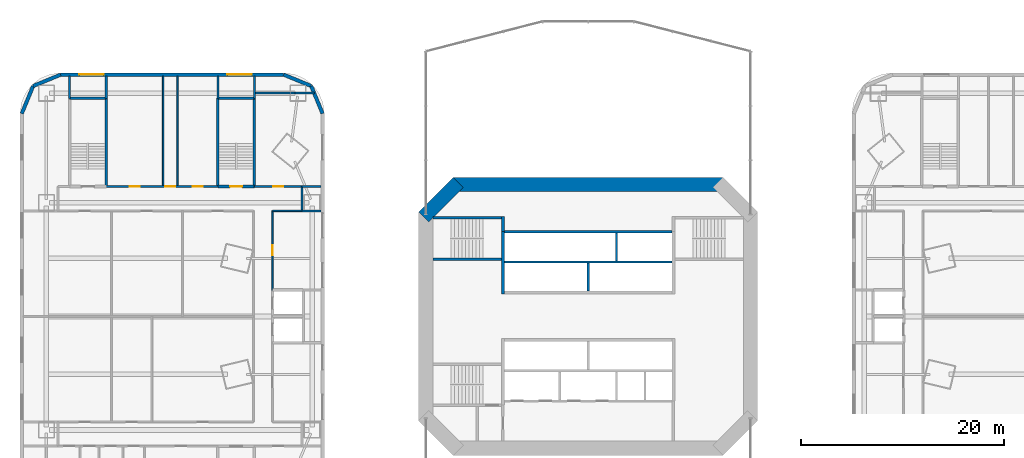
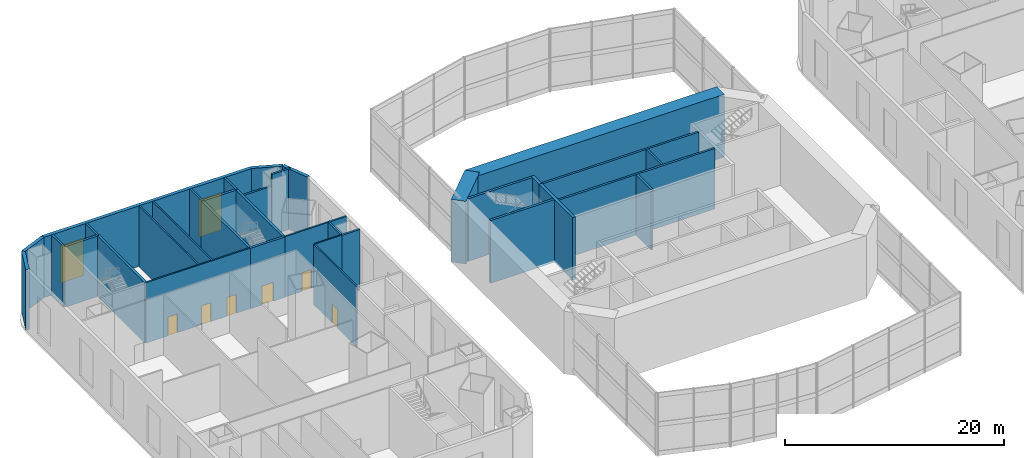
# One storey, part 12 of 19: 36 walls, 6 doors, 2 windows, 8 openings.
"""IFC4 building model written with IfcOpenShell, lengths in metres."""

from ifc_helpers import new_model, si_unit, direction, frame, frame_2d, origin, place, context, subcontext, project, spatial, rectangle, extrude, material, layer, layer_set, type_object, element, fill, save


model = new_model("IFC4")

# Units and contexts
model_context = context("Model", 3, precision=1e-05, world=origin(), true_north=direction((0.0, 1.0)))
body_context = subcontext(model_context, "Body", "Model", "MODEL_VIEW")
ifc_project = project(units=[si_unit("LENGTHUNIT", "METRE"), si_unit("AREAUNIT", "SQUARE_METRE"), si_unit("VOLUMEUNIT", "CUBIC_METRE"), si_unit("PLANEANGLEUNIT", "RADIAN"), si_unit("MASSUNIT", "GRAM", prefix="KILO")], contexts=[model_context])

# Site, building, storey
site_placement = place(None, origin())
site = spatial("IfcSite", under=ifc_project, at=site_placement, CompositionType="ELEMENT")
building_placement = place(site_placement, origin())
building = spatial("IfcBuilding", under=site, at=building_placement, Name="Marenthal Gate Tower", CompositionType="ELEMENT")
storey_placement = place(building_placement, frame((0.0, 0.0, 12.0)))
storey = spatial("IfcBuildingStorey", under=building, at=storey_placement, Name="L01", CompositionType="ELEMENT", Elevation=12.0)

# Walls
ifc_material_1 = material(Name="Concrete 60 MPa", Category="concrete")
ifc_layer_1 = layer(ifc_material_1, 1.39990234375)
ifc_layer_set_1 = layer_set([ifc_layer_1], Name="Core shear wall 1400")
wall_type_1 = type_object("IfcWallType", Name="Core shear wall 1400", PredefinedType="SHEAR", material=ifc_layer_set_1)
wall_1_placement = place(storey_placement, frame((13.289794921875, 13.0, -0.25), z_axis=(0.0, 0.0, 1.0), x_axis=(-1.0, 0.0, 0.0)))
element("IfcWall", 1, at=wall_1_placement, inside=storey, type_object=wall_type_1, Name="Core wall 04", PredefinedType="SHEAR", context=body_context, shape_type="SweptSolid", body=[
    extrude(rectangle(XDim=26.57958984375, YDim=1.39990234375, at=frame_2d((13.289794921875, 0.0))), origin(), (0.0, 0.0, 1.0), 7.0),
])
wall_2_placement = place(storey_placement, frame((-12.794921875, 13.205078125, -0.25), z_axis=(0.0, 0.0, 1.0), x_axis=(-0.707106781187, -0.707106781187, 0.0)))
element("IfcWall", 2, at=wall_2_placement, inside=storey, type_object=wall_type_1, Name="Core wall 05", PredefinedType="SHEAR", context=body_context, shape_type="SweptSolid", body=[
    extrude(rectangle(XDim=4.82275390625, YDim=1.39990234375, at=frame_2d((2.411376953125, 0.0))), origin(), (0.0, 0.0, 1.0), 7.0),
])
ifc_material_2 = material(Name="Concrete 50 MPa", Category="concrete")
ifc_layer_2 = layer(ifc_material_2, 0.300048828125)
ifc_layer_set_2 = layer_set([ifc_layer_2], Name="Hoistway shear wall 300")
wall_type_2 = type_object("IfcWallType", Name="Hoistway shear wall 300", PredefinedType="SHEAR", material=ifc_layer_set_2)
wall_3_placement = place(storey_placement, frame((-8.39990234375, 2.199951171875, -0.25), z_axis=(0.0, 0.0, 1.0), x_axis=(0.0, 1.0, 0.0)))
element("IfcWall", 3, at=wall_3_placement, inside=storey, type_object=wall_type_2, Name="Hoistway wall 24", PredefinedType="SHEAR", context=body_context, shape_type="SweptSolid", body=[
    extrude(rectangle(XDim=6.150146484375, YDim=0.300048828125, at=frame_2d((3.0751953125, 0.0))), origin(), (0.0, 0.0, 1.0), 7.0),
])
ifc_material_3 = material(Name="Concrete 40 MPa", Category="concrete")
ifc_layer_3 = layer(ifc_material_3, 0.219970703125)
ifc_layer_set_3 = layer_set([ifc_layer_3], Name="Hoistway wall 220")
wall_type_3 = type_object("IfcWallType", Name="Hoistway wall 220", PredefinedType="STANDARD", material=ifc_layer_set_3)
for number, where, z_axis, x_axis, name in (
    (4, (-8.25, 5.35009765625, 0.0), (0.0, 0.0, 1.0), (1.0, 0.0, 0.0), "Hoistway wall 15"),
    (5, (-8.25, 8.35009765625, 0.0), (0.0, 0.0, 1.0), (1.0, 0.0, 0.0), "Hoistway wall 18"),
):
    element("IfcWall", number, at=place(storey_placement, frame(where, z_axis=z_axis, x_axis=x_axis)), inside=storey, type_object=wall_type_3, Name=name, PredefinedType="STANDARD", context=body_context, shape_type="SweptSolid", body=[
        extrude(rectangle(XDim=16.5, YDim=0.219970703125, at=frame_2d((8.25, 0.0))), origin(), (0.0, 0.0, 1.0), 6.75),
    ])
wall_4_placement = place(storey_placement, frame((0.0, 2.5, 0.0), z_axis=(0.0, 0.0, 1.0), x_axis=(0.0, 1.0, 0.0)))
element("IfcWall", 6, at=wall_4_placement, inside=storey, type_object=wall_type_3, Name="Hoistway wall 28", PredefinedType="STANDARD", context=body_context, shape_type="SweptSolid", body=[
    extrude(rectangle(XDim=2.739990234375, YDim=0.219970703125, at=frame_2d((1.3701171875, 0.0))), origin(), (0.0, 0.0, 1.0), 6.75),
])
wall_5_placement = place(storey_placement, frame((2.800048828125, 5.4599609375, 0.0), z_axis=(0.0, 0.0, 1.0), x_axis=(0.0, 1.0, 0.0)))
element("IfcWall", 7, at=wall_5_placement, inside=storey, type_object=wall_type_3, Name="Hoistway wall 30", PredefinedType="STANDARD", context=body_context, shape_type="SweptSolid", body=[
    extrude(rectangle(XDim=2.780029296875, YDim=0.219970703125, at=frame_2d((1.39013671875, 0.0))), origin(), (0.0, 0.0, 1.0), 6.75),
])
ifc_material_4 = material(Name="Gypsum board on steel studs", Category="steel")
ifc_layer_4 = layer(ifc_material_4, 0.14990234375)
ifc_layer_set_4 = layer_set([ifc_layer_4], Name="Partition 150")
wall_type_4 = type_object("IfcWallType", Name="Partition 150", PredefinedType="PARTITIONING", material=ifc_layer_set_4)
wall_6_placement = place(storey_placement, frame((-31.10498046875, 10.39990234375, 0.0), z_axis=(0.0, 0.0, 1.0), x_axis=(1.0, 0.0, 0.0)))
element("IfcWall", 8, at=wall_6_placement, inside=storey, type_object=wall_type_4, Name="Partition wall 59", PredefinedType="PARTITIONING", context=body_context, shape_type="SweptSolid", body=[
    extrude(rectangle(XDim=2.905029296875, YDim=0.14990234375, at=frame_2d((1.45263671875, 0.0))), origin(), (0.0, 0.0, 1.0), 6.75),
])

# Wall, openings, doors
wall_7_placement = place(storey_placement, frame((-47.5048828125, 12.800048828125, 0.0), z_axis=(0.0, 0.0, 1.0), x_axis=(1.0, 0.0, 0.0)))
wall_7 = element("IfcWall", 9, at=wall_7_placement, inside=storey, type_object=wall_type_4, Name="Partition wall 62", PredefinedType="PARTITIONING", context=body_context, shape_type="SweptSolid", body=[
    extrude(rectangle(XDim=11.009765625, YDim=0.14990234375, at=frame_2d((5.5048828125, 0.0))), origin(), (0.0, 0.0, 1.0), 6.75),
])
opening_1_placement = place(wall_7_placement, frame((8.52490234375, 0.0, 0.0)))
opening_1 = element("IfcOpeningElement", 10, at=opening_1_placement, cuts=wall_7, Name="Opening D012.19", PredefinedType="OPENING", context=body_context, shape_type="SweptSolid", body=[
    extrude(rectangle(XDim=1.0, YDim=2.10009765625, at=frame_2d((0.5, 1.050048828125))), frame((0.0, 0.0849609375, 0.0), z_axis=(0.0, -1.0, 0.0), x_axis=(1.0, 0.0, 0.0)), (0.0, 0.0, 1.0), 0.169921875),
])
opening_2_placement = place(wall_7_placement, frame((5.824951171875, 0.0, 0.0)))
opening_2 = element("IfcOpeningElement", 11, at=opening_2_placement, cuts=wall_7, Name="Opening D012.20", PredefinedType="OPENING", context=body_context, shape_type="SweptSolid", body=[
    extrude(rectangle(XDim=1.0, YDim=2.10009765625, at=frame_2d((0.5, 1.050048828125))), frame((0.0, 0.0849609375, 0.0), z_axis=(0.0, -1.0, 0.0), x_axis=(1.0, 0.0, 0.0)), (0.0, 0.0, 1.0), 0.169921875),
])
opening_3_placement = place(wall_7_placement, frame((2.304931640625, 0.0, 0.0)))
opening_3 = element("IfcOpeningElement", 12, at=opening_3_placement, cuts=wall_7, Name="Opening D012.21", PredefinedType="OPENING", context=body_context, shape_type="SweptSolid", body=[
    extrude(rectangle(XDim=1.0, YDim=2.10009765625, at=frame_2d((0.5, 1.050048828125))), frame((0.0, 0.0849609375, 0.0), z_axis=(0.0, -1.0, 0.0), x_axis=(1.0, 0.0, 0.0)), (0.0, 0.0, 1.0), 0.169921875),
])
ifc_material_5 = material(Name="Timber door", Category="wood")
door_type_1 = type_object("IfcDoorType", Name="Door 1000 x 2100", OperationType="NOTDEFINED", PredefinedType="DOOR", material=ifc_material_5)
door_1_placement = place(opening_1_placement, origin())
door_1 = element("IfcDoor", 13, at=door_1_placement, inside=storey, type_object=door_type_1, Name="Door D012.19", OperationType="SINGLE_SWING_RIGHT", OverallHeight=2.10009765625, OverallWidth=1.0, PredefinedType="DOOR", context=body_context, shape_type="SweptSolid", body=[
    extrude(rectangle(XDim=1.0, YDim=2.10009765625, at=frame_2d((0.5, 1.050048828125))), frame((0.0, 0.02490234375, 0.0), z_axis=(0.0, -1.0, 0.0), x_axis=(1.0, 0.0, 0.0)), (0.0, 0.0, 1.0), 0.050048828125),
])
fill(opening_1, door_1)
door_2_placement = place(opening_2_placement, origin())
door_2 = element("IfcDoor", 14, at=door_2_placement, inside=storey, type_object=door_type_1, Name="Door D012.20", OperationType="SINGLE_SWING_RIGHT", OverallHeight=2.10009765625, OverallWidth=1.0, PredefinedType="DOOR", context=body_context, shape_type="SweptSolid", body=[
    extrude(rectangle(XDim=1.0, YDim=2.10009765625, at=frame_2d((0.5, 1.050048828125))), frame((0.0, 0.02490234375, 0.0), z_axis=(0.0, -1.0, 0.0), x_axis=(1.0, 0.0, 0.0)), (0.0, 0.0, 1.0), 0.050048828125),
])
fill(opening_2, door_2)
door_3_placement = place(opening_3_placement, origin())
door_3 = element("IfcDoor", 15, at=door_3_placement, inside=storey, type_object=door_type_1, Name="Door D012.21", OperationType="SINGLE_SWING_RIGHT", OverallHeight=2.10009765625, OverallWidth=1.0, PredefinedType="DOOR", context=body_context, shape_type="SweptSolid", body=[
    extrude(rectangle(XDim=1.0, YDim=2.10009765625, at=frame_2d((0.5, 1.050048828125))), frame((0.0, 0.02490234375, 0.0), z_axis=(0.0, -1.0, 0.0), x_axis=(1.0, 0.0, 0.0)), (0.0, 0.0, 1.0), 0.050048828125),
])
fill(opening_3, door_3)

# Wall, opening, door
wall_8_placement = place(storey_placement, frame((-32.905029296875, 12.800048828125, 0.0), z_axis=(0.0, 0.0, 1.0), x_axis=(1.0, 0.0, 0.0)))
wall_8 = element("IfcWall", 16, at=wall_8_placement, inside=storey, type_object=wall_type_4, Name="Partition wall 63", PredefinedType="PARTITIONING", context=body_context, shape_type="SweptSolid", body=[
    extrude(rectangle(XDim=4.705078125, YDim=0.14990234375, at=frame_2d((2.3525390625, 0.0))), origin(), (0.0, 0.0, 1.0), 6.75),
])
opening_4_placement = place(wall_8_placement, frame((1.857421875, 0.0, 0.0)))
opening_4 = element("IfcOpeningElement", 17, at=opening_4_placement, cuts=wall_8, Name="Opening D012.35", PredefinedType="OPENING", context=body_context, shape_type="SweptSolid", body=[
    extrude(rectangle(XDim=1.0, YDim=2.10009765625, at=frame_2d((0.5, 1.050048828125))), frame((0.0, 0.0849609375, 0.0), z_axis=(0.0, -1.0, 0.0), x_axis=(1.0, 0.0, 0.0)), (0.0, 0.0, 1.0), 0.169921875),
])
door_4_placement = place(opening_4_placement, origin())
door_4 = element("IfcDoor", 18, at=door_4_placement, inside=storey, type_object=door_type_1, Name="Door D012.35", OperationType="SINGLE_SWING_RIGHT", OverallHeight=2.10009765625, OverallWidth=1.0, PredefinedType="DOOR", context=body_context, shape_type="SweptSolid", body=[
    extrude(rectangle(XDim=1.0, YDim=2.10009765625, at=frame_2d((0.5, 1.050048828125))), frame((0.0, 0.02490234375, 0.0), z_axis=(0.0, -1.0, 0.0), x_axis=(1.0, 0.0, 0.0)), (0.0, 0.0, 1.0), 0.050048828125),
])
fill(opening_4, door_4)

wall_9_placement = place(storey_placement, frame((-31.10009765625, 2.594970703125, 0.0), z_axis=(0.0, 0.0, 1.0), x_axis=(0.0, 1.0, 0.0)))
wall_9 = element("IfcWall", 19, at=wall_9_placement, inside=storey, type_object=wall_type_4, Name="Partition wall 76", PredefinedType="PARTITIONING", context=body_context, shape_type="SweptSolid", body=[
    extrude(rectangle(XDim=7.804931640625, YDim=0.14990234375, at=frame_2d((3.90234375, 0.0))), origin(), (0.0, 0.0, 1.0), 6.75),
])
opening_5_placement = place(wall_9_placement, frame((3.405029296875, 0.0, 0.0)))
opening_5 = element("IfcOpeningElement", 20, at=opening_5_placement, cuts=wall_9, Name="Opening D012.33", PredefinedType="OPENING", context=body_context, shape_type="SweptSolid", body=[
    extrude(rectangle(XDim=1.0, YDim=2.10009765625, at=frame_2d((0.5, 1.050048828125))), frame((0.0, 0.0849609375, 0.0), z_axis=(0.0, -1.0, 0.0), x_axis=(1.0, 0.0, 0.0)), (0.0, 0.0, 1.0), 0.169921875),
])
door_5_placement = place(opening_5_placement, frame((1.0, 0.0, 0.0), z_axis=(0.0, 0.0, 1.0), x_axis=(-1.0, 0.0, 0.0)))
door_5 = element("IfcDoor", 21, at=door_5_placement, inside=storey, type_object=door_type_1, Name="Door D012.33", OperationType="SINGLE_SWING_LEFT", OverallHeight=2.10009765625, OverallWidth=1.0, PredefinedType="DOOR", context=body_context, shape_type="SweptSolid", body=[
    extrude(rectangle(XDim=1.0, YDim=2.10009765625, at=frame_2d((0.5, 1.050048828125))), frame((0.0, 0.02490234375, 0.0), z_axis=(0.0, -1.0, 0.0), x_axis=(1.0, 0.0, 0.0)), (0.0, 0.0, 1.0), 0.050048828125),
])
fill(opening_5, door_5)

# Walls
for number, where, z_axis, x_axis, name in (
    (22, (-40.4599609375, 12.800048828125, 0.0), (0.0, 0.0, 1.0), (0.0, 1.0, 0.0), "Partition wall 79"),
    (23, (-41.89990234375, 12.800048828125, 0.0), (0.0, 0.0, 1.0), (0.0, 1.0, 0.0), "Partition wall 80"),
):
    element("IfcWall", number, at=place(storey_placement, frame(where, z_axis=z_axis, x_axis=x_axis)), inside=storey, type_object=wall_type_4, Name=name, PredefinedType="PARTITIONING", context=body_context, shape_type="SweptSolid", body=[
        extrude(rectangle(XDim=10.869873046875, YDim=0.14990234375, at=frame_2d((5.43505859375, 0.0))), origin(), (0.0, 0.0, 1.0), 6.75),
    ])
ifc_material_6 = material(Name="Gypsum board on steel studs", Category="steel")
ifc_layer_5 = layer(ifc_material_6, 0.199951171875)
ifc_layer_set_5 = layer_set([ifc_layer_5], Name="Partition 200")
wall_type_5 = type_object("IfcWallType", Name="Partition 200", PredefinedType="PARTITIONING", material=ifc_layer_set_5)
for number, where, z_axis, x_axis, name in (
    (24, (-28.203857421875, 10.39990234375, 0.0), (0.0, 0.0, 1.0), (1.0, 0.0, 0.0), "Partition wall 98"),
    (25, (-28.203857421875, 12.800048828125, 0.0), (0.0, 0.0, 1.0), (1.0, 0.0, 0.0), "Partition wall 02"),
):
    element("IfcWall", number, at=place(storey_placement, frame(where, z_axis=z_axis, x_axis=x_axis)), inside=storey, type_object=wall_type_5, Name=name, PredefinedType="PARTITIONING", context=body_context, shape_type="SweptSolid", body=[
        extrude(rectangle(XDim=1.873779296875, YDim=0.199951171875, at=frame_2d((0.93701171875, 0.0))), origin(), (0.0, 0.0, 1.0), 6.75),
    ])
wall_10_placement = place(storey_placement, frame((-32.89990234375, 22.0, 0.0), z_axis=(0.0, 0.0, 1.0), x_axis=(1.0, 0.0, 0.0)))
element("IfcWall", 26, at=wall_10_placement, inside=storey, type_object=wall_type_5, Name="Partition wall 05", PredefinedType="PARTITIONING", context=body_context, shape_type="SweptSolid", body=[
    extrude(rectangle(XDim=4.0, YDim=0.199951171875, at=frame_2d((2.0, 0.0))), origin(), (0.0, 0.0, 1.0), 5.449951171875),
])
wall_11_placement = place(storey_placement, frame((-28.89990234375, 22.0, 0.0), z_axis=(0.0, 0.0, 1.0), x_axis=(1.0, 0.0, 0.0)))
element("IfcWall", 27, at=wall_11_placement, inside=storey, type_object=wall_type_5, Name="Partition wall 167", PredefinedType="PARTITIONING", context=body_context, shape_type="SweptSolid", body=[
    extrude(rectangle(XDim=1.947998046875, YDim=0.199951171875, at=frame_2d((0.97412109375, 0.0))), origin(), (0.0, 0.0, 1.0), 6.75),
])
wall_12_placement = place(storey_placement, frame((-28.199951171875, 10.39990234375, 0.0), z_axis=(0.0, 0.0, 1.0), x_axis=(0.0, 1.0, 0.0)))
element("IfcWall", 28, at=wall_12_placement, inside=storey, type_object=wall_type_5, Name="Partition wall 19", PredefinedType="PARTITIONING", context=body_context, shape_type="SweptSolid", body=[
    extrude(rectangle(XDim=2.400146484375, YDim=0.199951171875, at=frame_2d((1.2001953125, 0.0))), origin(), (0.0, 0.0, 1.0), 6.75),
])
for number, where, z_axis, x_axis, name in (
    (29, (-32.89990234375, 21.49609375, 0.0), (0.0, 0.0, 1.0), (0.0, 1.0, 0.0), "Partition wall 21"),
    (30, (-36.5, 21.49609375, 0.0), (0.0, 0.0, 1.0), (0.0, 1.0, 0.0), "Partition wall 23"),
    (31, (-47.5, 21.49609375, 0.0), (0.0, 0.0, 1.0), (0.0, 1.0, 0.0), "Partition wall 24"),
    (32, (-51.10009765625, 21.49609375, 0.0), (0.0, 0.0, 1.0), (0.0, 1.0, 0.0), "Partition wall 25"),
):
    element("IfcWall", number, at=place(storey_placement, frame(where, z_axis=z_axis, x_axis=x_axis)), inside=storey, type_object=wall_type_5, Name=name, PredefinedType="PARTITIONING", context=body_context, shape_type="SweptSolid", body=[
        extrude(rectangle(XDim=2.173828125, YDim=0.199951171875, at=frame_2d((1.0869140625, 0.0))), origin(), (0.0, 0.0, 1.0), 6.75),
    ])
ifc_material_7 = material(Name="Concrete 50 MPa", Category="concrete")
ifc_layer_6 = layer(ifc_material_7, 0.25)
ifc_layer_set_6 = layer_set([ifc_layer_6], Name="Stair shear wall 250")
wall_type_6 = type_object("IfcWallType", Name="Stair shear wall 250", PredefinedType="SHEAR", material=ifc_layer_set_6)
for number, where, z_axis, x_axis, name in (
    (33, (-15.300048828125, 5.64990234375, -0.25), (0.0, 0.0, 1.0), (1.0, 0.0, 0.0), "Stair wall 16"),
    (34, (-15.300048828125, 9.699951171875, -0.25), (0.0, 0.0, 1.0), (1.0, 0.0, 0.0), "Stair wall 19"),
):
    element("IfcWall", number, at=place(storey_placement, frame(where, z_axis=z_axis, x_axis=x_axis)), inside=storey, type_object=wall_type_6, Name=name, PredefinedType="SHEAR", context=body_context, shape_type="SweptSolid", body=[
        extrude(rectangle(XDim=6.75, YDim=0.25, at=frame_2d((3.375, 0.0))), origin(), (0.0, 0.0, 1.0), 7.0),
    ])

# Wall, opening, door
wall_13_placement = place(storey_placement, frame((-36.5048828125, 12.800048828125, 0.0), z_axis=(0.0, 0.0, 1.0), x_axis=(1.0, 0.0, 0.0)))
wall_13 = element("IfcWall", 35, at=wall_13_placement, inside=storey, type_object=wall_type_6, Name="Stair wall 34", PredefinedType="SHEAR", context=body_context, shape_type="SweptSolid", body=[
    extrude(rectangle(XDim=3.60986328125, YDim=0.25, at=frame_2d((1.804931640625, 0.0))), origin(), (0.0, 0.0, 1.0), 6.75),
])
opening_6_placement = place(wall_13_placement, frame((1.205078125, 0.0, 0.0)))
opening_6 = element("IfcOpeningElement", 36, at=opening_6_placement, cuts=wall_13, Name="Opening D001.05", PredefinedType="OPENING", context=body_context, shape_type="SweptSolid", body=[
    extrude(rectangle(XDim=1.199951171875, YDim=2.10009765625, at=frame_2d((0.60009765625, 1.050048828125))), frame((0.0, 0.135009765625, 0.0), z_axis=(0.0, -1.0, 0.0), x_axis=(1.0, 0.0, 0.0)), (0.0, 0.0, 1.0), 0.27001953125),
])
ifc_material_8 = material(Name="Steel fire door", Category="steel")
door_type_2 = type_object("IfcDoorType", Name="Fire door FD 90 1200 x 2100", OperationType="NOTDEFINED", PredefinedType="DOOR", material=ifc_material_8)
door_6_placement = place(opening_6_placement, origin())
door_6 = element("IfcDoor", 37, at=door_6_placement, inside=storey, type_object=door_type_2, Name="Door D001.05", OperationType="SINGLE_SWING_RIGHT", OverallHeight=2.10009765625, OverallWidth=1.199951171875, PredefinedType="DOOR", context=body_context, shape_type="SweptSolid", body=[
    extrude(rectangle(XDim=1.199951171875, YDim=2.10009765625, at=frame_2d((0.60009765625, 1.050048828125))), frame((0.0, 0.02490234375, 0.0), z_axis=(0.0, -1.0, 0.0), x_axis=(1.0, 0.0, 0.0)), (0.0, 0.0, 1.0), 0.050048828125),
])
fill(opening_6, door_6)

# Walls
for number, where, z_axis, x_axis, name in (
    (38, (-51.10009765625, 21.5, 0.0), (0.0, 0.0, 1.0), (1.0, 0.0, 0.0), "Stair wall 37"),
    (39, (-36.5, 21.5, 0.0), (0.0, 0.0, 1.0), (1.0, 0.0, 0.0), "Stair wall 38"),
):
    element("IfcWall", number, at=place(storey_placement, frame(where, z_axis=z_axis, x_axis=x_axis)), inside=storey, type_object=wall_type_6, Name=name, PredefinedType="SHEAR", context=body_context, shape_type="SweptSolid", body=[
        extrude(rectangle(XDim=3.60009765625, YDim=0.25, at=frame_2d((1.800048828125, 0.0))), origin(), (0.0, 0.0, 1.0), 6.75),
    ])
for number, where, z_axis, x_axis, name in (
    (40, (-32.89990234375, 12.800048828125, 0.0), (0.0, 0.0, 1.0), (0.0, 1.0, 0.0), "Stair wall 48"),
    (41, (-36.5, 12.800048828125, 0.0), (0.0, 0.0, 1.0), (0.0, 1.0, 0.0), "Stair wall 50"),
    (42, (-47.5, 12.800048828125, 0.0), (0.0, 0.0, 1.0), (0.0, 1.0, 0.0), "Stair wall 51"),
):
    element("IfcWall", number, at=place(storey_placement, frame(where, z_axis=z_axis, x_axis=x_axis)), inside=storey, type_object=wall_type_6, Name=name, PredefinedType="SHEAR", context=body_context, shape_type="SweptSolid", body=[
        extrude(rectangle(XDim=8.699951171875, YDim=0.25, at=frame_2d((4.35009765625, 0.0))), origin(), (0.0, 0.0, 1.0), 6.75),
    ])
ifc_material_9 = material(Name="Concrete 50 MPa", Category="concrete")
ifc_layer_7 = layer(ifc_material_9, 0.300048828125)
ifc_layer_set_7 = layer_set([ifc_layer_7], Name="Stair shear wall 300")
wall_type_7 = type_object("IfcWallType", Name="Stair shear wall 300", PredefinedType="SHEAR", material=ifc_layer_set_7)
wall_14_placement = place(storey_placement, frame((-8.39990234375, 8.35009765625, -0.25), z_axis=(0.0, 0.0, 1.0), x_axis=(0.0, 1.0, 0.0)))
element("IfcWall", 43, at=wall_14_placement, inside=storey, type_object=wall_type_7, Name="Stair wall 25", PredefinedType="SHEAR", context=body_context, shape_type="SweptSolid", body=[
    extrude(rectangle(XDim=1.474853515625, YDim=0.300048828125, at=frame_2d((0.7373046875, 0.0))), origin(), (0.0, 0.0, 1.0), 7.0),
])
ifc_material_10 = material(Name="Terracotta cladding on insulated concrete-block backing", Category="masonry")
ifc_layer_8 = layer(ifc_material_10, 0.35009765625)
ifc_layer_set_8 = layer_set([ifc_layer_8], Name="Terracotta cladding wall 350")
wall_type_8 = type_object("IfcWallType", Name="Terracotta cladding wall 350", PredefinedType="SOLIDWALL", material=ifc_layer_set_8)
for number, where, z_axis, x_axis, name in (
    (44, (-26.175048828125, 19.988525390625, 0.0), (0.0, 0.0, 1.0), (-0.381727741993, 0.924274813566, 0.0), "Terracotta cladding wall L01 W4"),
    (45, (-27.29638671875, 22.70361328125, 0.0), (0.0, 0.0, 1.0), (-0.924274813566, 0.381727741993, 0.0), "Terracotta cladding wall L01 W5"),
):
    element("IfcWall", number, at=place(storey_placement, frame(where, z_axis=z_axis, x_axis=x_axis)), inside=storey, type_object=wall_type_8, Name=name, PredefinedType="SOLIDWALL", context=body_context, shape_type="SweptSolid", body=[
        extrude(rectangle(XDim=2.9375, YDim=0.35009765625, at=frame_2d((1.46875, 0.0))), origin(), (0.0, 0.0, 1.0), 6.75),
    ])

# Wall, openings, windows
wall_15_placement = place(storey_placement, frame((-30.011474609375, 23.824951171875, 0.0), z_axis=(0.0, 0.0, 1.0), x_axis=(-1.0, 0.0, 0.0)))
wall_15 = element("IfcWall", 46, at=wall_15_placement, inside=storey, type_object=wall_type_8, Name="Terracotta cladding wall L01 W6", PredefinedType="SOLIDWALL", context=body_context, shape_type="SweptSolid", body=[
    extrude(rectangle(XDim=21.97705078125, YDim=0.35009765625, at=frame_2d((10.988525390625, 0.0))), origin(), (0.0, 0.0, 1.0), 6.75),
])
opening_7_placement = place(wall_15_placement, frame((3.138427734375, 0.0, 0.89990234375)))
opening_7 = element("IfcOpeningElement", 47, at=opening_7_placement, cuts=wall_15, Name="Opening WN4-L01-55", PredefinedType="OPENING", context=body_context, shape_type="SweptSolid", body=[
    extrude(rectangle(XDim=2.39990234375, YDim=4.199951171875, at=frame_2d((1.199951171875, 2.10009765625))), frame((0.0, 0.18505859375, 0.0), z_axis=(0.0, -1.0, 0.0), x_axis=(1.0, 0.0, 0.0)), (0.0, 0.0, 1.0), 0.3701171875),
])
opening_8_placement = place(wall_15_placement, frame((17.738525390625, 0.0, 0.89990234375)))
opening_8 = element("IfcOpeningElement", 48, at=opening_8_placement, cuts=wall_15, Name="Opening WN4-L01-56", PredefinedType="OPENING", context=body_context, shape_type="SweptSolid", body=[
    extrude(rectangle(XDim=2.39990234375, YDim=4.199951171875, at=frame_2d((1.199951171875, 2.10009765625))), frame((0.0, 0.18505859375, 0.0), z_axis=(0.0, -1.0, 0.0), x_axis=(1.0, 0.0, 0.0)), (0.0, 0.0, 1.0), 0.3701171875),
])
ifc_material_11 = material(Name="Aluminium and laminated impact-rated glass", Category="aluminium")
window_type = type_object("IfcWindowType", Name="Window 2400x4200 impact-rated", PartitioningType="DOUBLE_PANEL_VERTICAL", PredefinedType="WINDOW", material=ifc_material_11)
window_1_placement = place(opening_7_placement, origin())
window_1 = element("IfcWindow", 49, at=window_1_placement, inside=storey, type_object=window_type, Name="Window L01 W6 1", OverallHeight=4.199951171875, OverallWidth=2.39990234375, PartitioningType="SINGLE_PANEL", PredefinedType="WINDOW", context=body_context, shape_type="SweptSolid", body=[
    extrude(rectangle(XDim=2.39990234375, YDim=4.199951171875, at=frame_2d((1.199951171875, 2.10009765625))), frame((0.0, 0.030029296875, 0.0), z_axis=(0.0, -1.0, 0.0), x_axis=(1.0, 0.0, 0.0)), (0.0, 0.0, 1.0), 0.06005859375),
])
fill(opening_7, window_1)
window_2_placement = place(opening_8_placement, origin())
window_2 = element("IfcWindow", 50, at=window_2_placement, inside=storey, type_object=window_type, Name="Window L01 W6 2", OverallHeight=4.199951171875, OverallWidth=2.39990234375, PartitioningType="SINGLE_PANEL", PredefinedType="WINDOW", context=body_context, shape_type="SweptSolid", body=[
    extrude(rectangle(XDim=2.39990234375, YDim=4.199951171875, at=frame_2d((1.199951171875, 2.10009765625))), frame((0.0, 0.030029296875, 0.0), z_axis=(0.0, -1.0, 0.0), x_axis=(1.0, 0.0, 0.0)), (0.0, 0.0, 1.0), 0.06005859375),
])
fill(opening_8, window_2)

# Walls
for number, where, z_axis, x_axis, name in (
    (51, (-51.988525390625, 23.824951171875, 0.0), (0.0, 0.0, 1.0), (-0.924274813566, -0.381727741993, 0.0), "Terracotta cladding wall L01 W7"),
    (52, (-54.70361328125, 22.70361328125, 0.0), (0.0, 0.0, 1.0), (-0.381727741993, -0.924274813566, 0.0), "Terracotta cladding wall L01 W8"),
):
    element("IfcWall", number, at=place(storey_placement, frame(where, z_axis=z_axis, x_axis=x_axis)), inside=storey, type_object=wall_type_8, Name=name, PredefinedType="SOLIDWALL", context=body_context, shape_type="SweptSolid", body=[
        extrude(rectangle(XDim=2.9375, YDim=0.35009765625, at=frame_2d((1.46875, 0.0))), origin(), (0.0, 0.0, 1.0), 6.75),
    ])

save(model, "model.ifc")
